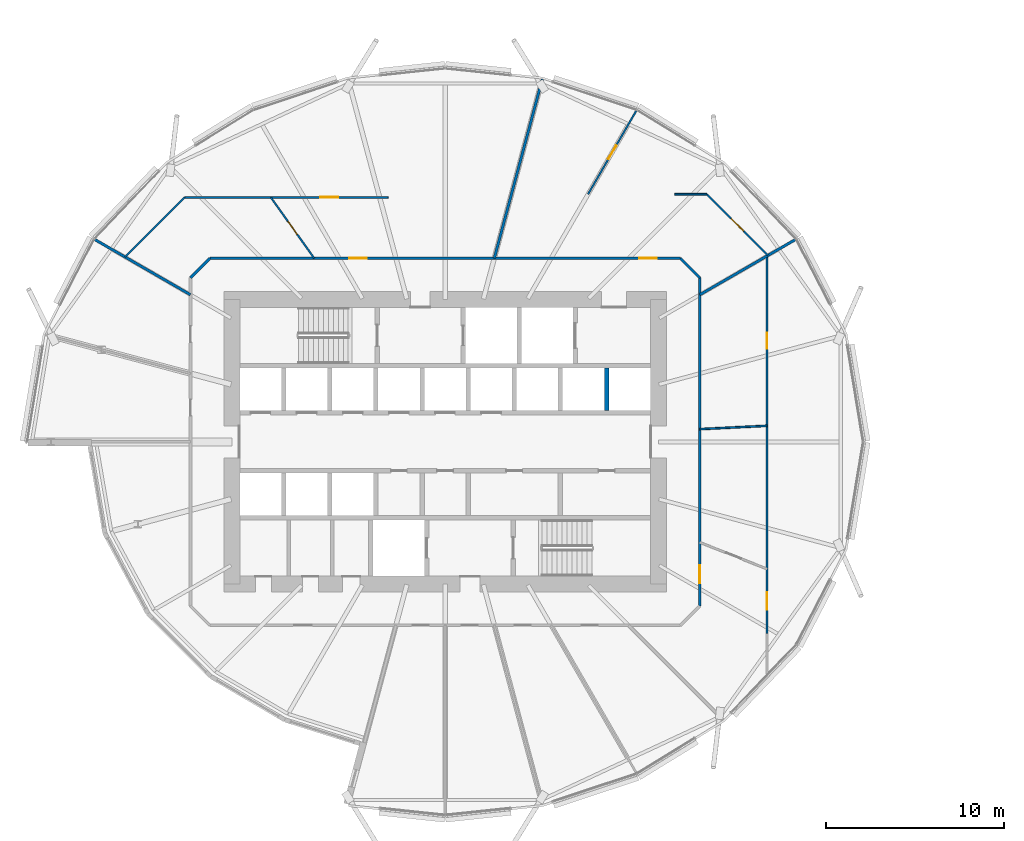
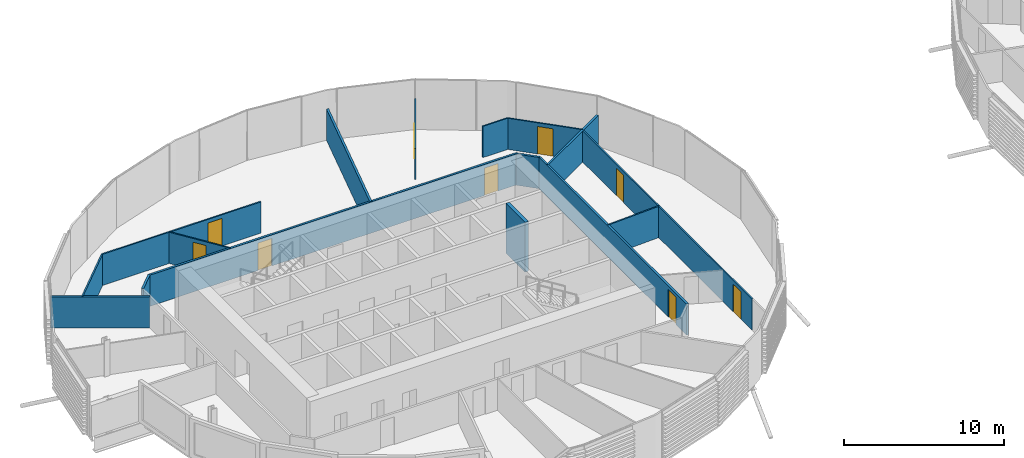
# One storey, part 22 of 38: 16 walls, 9 doors, 9 openings.
"""IFC4 building model written with IfcOpenShell, lengths in metres."""

from ifc_helpers import new_model, si_unit, direction, frame, frame_2d, origin, place, context, subcontext, project, spatial, rectangle, extrude, material, layer, layer_set, type_object, element, fill, save


model = new_model("IFC4")

# Units and contexts
model_context = context("Model", 3, precision=1e-05, world=origin(), true_north=direction((0.0, 1.0)))
body_context = subcontext(model_context, "Body", "Model", "MODEL_VIEW")
ifc_project = project(units=[si_unit("LENGTHUNIT", "METRE"), si_unit("AREAUNIT", "SQUARE_METRE"), si_unit("VOLUMEUNIT", "CUBIC_METRE"), si_unit("PLANEANGLEUNIT", "RADIAN"), si_unit("MASSUNIT", "GRAM", prefix="KILO")], contexts=[model_context])

# Site, building, storey
site_placement = place(None, origin())
site = spatial("IfcSite", under=ifc_project, at=site_placement, CompositionType="ELEMENT")
building_placement = place(site_placement, origin())
building = spatial("IfcBuilding", under=site, at=building_placement, Name="Rimbun Link Towers", CompositionType="ELEMENT")
storey_placement = place(building_placement, frame((0.0, 0.0, 71.800048828125)))
storey = spatial("IfcBuildingStorey", under=building, at=storey_placement, Name="L17", CompositionType="ELEMENT", Elevation=71.800048828125)

# Wall, openings, doors
ifc_material_1 = material(Name="Plasterboard on steel stud, mineral wool", Category="steel")
ifc_layer_1 = layer(ifc_material_1, 0.14990234375)
ifc_layer_set_1 = layer_set([ifc_layer_1], Name="Corridor wall EI 30 150 mm")
wall_type_1 = type_object("IfcWallType", Name="Corridor wall EI 30 150 mm", PredefinedType="PARTITIONING", material=ifc_layer_set_1)
wall_1_placement = place(storey_placement, frame((-44.976806640625, 10.324951171875, 0.0), z_axis=(0.0, 0.0, 1.0), x_axis=(1.0, 0.0, 0.0)))
wall_1 = element("IfcWall", 1, at=wall_1_placement, inside=storey, type_object=wall_type_1, Name="Corridor wall EI 30 150 mm", PredefinedType="PARTITIONING", context=body_context, shape_type="SweptSolid", body=[
    extrude(rectangle(XDim=26.45361328125, YDim=0.14990234375, at=frame_2d((13.226806640625, 0.0))), origin(), (0.0, 0.0, 1.0), 2.3798828125),
])
opening_1_placement = place(wall_1_placement, frame((24.140380859375, 0.0, 0.0)))
opening_1 = element("IfcOpeningElement", 2, at=opening_1_placement, cuts=wall_1, Name="Opening D01", PredefinedType="OPENING", context=body_context, shape_type="SweptSolid", body=[
    extrude(rectangle(XDim=1.0, YDim=2.10009765625, at=frame_2d((0.5, 1.050048828125))), frame((0.0, 0.0849609375, 0.0), z_axis=(0.0, -1.0, 0.0), x_axis=(1.0, 0.0, 0.0)), (0.0, 0.0, 1.0), 0.169921875),
])
opening_2_placement = place(wall_1_placement, frame((7.8291015625, 0.0, 0.0)))
opening_2 = element("IfcOpeningElement", 3, at=opening_2_placement, cuts=wall_1, Name="Opening D01", PredefinedType="OPENING", context=body_context, shape_type="SweptSolid", body=[
    extrude(rectangle(XDim=1.0, YDim=2.10009765625, at=frame_2d((0.5, 1.050048828125))), frame((0.0, 0.0849609375, 0.0), z_axis=(0.0, -1.0, 0.0), x_axis=(1.0, 0.0, 0.0)), (0.0, 0.0, 1.0), 0.169921875),
])
ifc_material_2 = material(Name="Fire-resisting timber door leaf", Category="wood")
door_type_1 = type_object("IfcDoorType", Name="Fire door FD30S 1000", OperationType="NOTDEFINED", PredefinedType="DOOR", material=ifc_material_2)
door_1_placement = place(opening_1_placement, origin())
door_1 = element("IfcDoor", 4, at=door_1_placement, inside=storey, type_object=door_type_1, Name="Fire door FD30S 1000 to Reception", OperationType="SINGLE_SWING_RIGHT", OverallHeight=2.10009765625, OverallWidth=1.0, PredefinedType="DOOR", context=body_context, shape_type="SweptSolid", body=[
    extrude(rectangle(XDim=1.0, YDim=2.10009765625, at=frame_2d((0.5, 1.050048828125))), frame((0.0, 0.02490234375, 0.0), z_axis=(0.0, -1.0, 0.0), x_axis=(1.0, 0.0, 0.0)), (0.0, 0.0, 1.0), 0.050048828125),
])
fill(opening_1, door_1)
door_2_placement = place(opening_2_placement, origin())
door_2 = element("IfcDoor", 5, at=door_2_placement, inside=storey, type_object=door_type_1, Name="Fire door FD30S 1000 to Reception", OperationType="SINGLE_SWING_LEFT", OverallHeight=2.10009765625, OverallWidth=1.0, PredefinedType="DOOR", context=body_context, shape_type="SweptSolid", body=[
    extrude(rectangle(XDim=1.0, YDim=2.10009765625, at=frame_2d((0.5, 1.050048828125))), frame((0.0, 0.02490234375, 0.0), z_axis=(0.0, -1.0, 0.0), x_axis=(1.0, 0.0, 0.0)), (0.0, 0.0, 1.0), 0.050048828125),
])
fill(opening_2, door_2)

# Wall
wall_2_placement = place(storey_placement, frame((-17.425048828125, 9.226806640625, 0.0), z_axis=(0.0, 0.0, 1.0), x_axis=(-0.707106781187, 0.707106781187, 0.0)))
element("IfcWall", 6, at=wall_2_placement, inside=storey, type_object=wall_type_1, Name="Corridor wall EI 30 150 mm", PredefinedType="PARTITIONING", context=body_context, shape_type="SweptSolid", body=[
    extrude(rectangle(XDim=1.552978515625, YDim=0.14990234375, at=frame_2d((0.7763671875, 0.0))), origin(), (0.0, 0.0, 1.0), 2.3798828125),
])

# Wall, opening, door
wall_3_placement = place(storey_placement, frame((-17.425048828125, 9.226806640625, 0.0), z_axis=(0.0, 0.0, 1.0), x_axis=(0.0, -1.0, 0.0)))
wall_3 = element("IfcWall", 7, at=wall_3_placement, inside=storey, type_object=wall_type_1, Name="Corridor wall EI 30 150 mm", PredefinedType="PARTITIONING", context=body_context, shape_type="SweptSolid", body=[
    extrude(rectangle(XDim=18.45361328125, YDim=0.14990234375, at=frame_2d((9.226806640625, 0.0))), origin(), (0.0, 0.0, 1.0), 2.3798828125),
])
opening_3_placement = place(wall_3_placement, frame((16.169921875, 0.0, 0.0)))
opening_3 = element("IfcOpeningElement", 8, at=opening_3_placement, cuts=wall_3, Name="Opening D01", PredefinedType="OPENING", context=body_context, shape_type="SweptSolid", body=[
    extrude(rectangle(XDim=1.0, YDim=2.10009765625, at=frame_2d((0.5, 1.050048828125))), frame((0.0, 0.0849609375, 0.0), z_axis=(0.0, -1.0, 0.0), x_axis=(1.0, 0.0, 0.0)), (0.0, 0.0, 1.0), 0.169921875),
])
door_3_placement = place(opening_3_placement, origin())
door_3 = element("IfcDoor", 9, at=door_3_placement, inside=storey, type_object=door_type_1, Name="Fire door FD30S 1000 to Customer lobby", OperationType="SINGLE_SWING_LEFT", OverallHeight=2.10009765625, OverallWidth=1.0, PredefinedType="DOOR", context=body_context, shape_type="SweptSolid", body=[
    extrude(rectangle(XDim=1.0, YDim=2.10009765625, at=frame_2d((0.5, 1.050048828125))), frame((0.0, 0.02490234375, 0.0), z_axis=(0.0, -1.0, 0.0), x_axis=(1.0, 0.0, 0.0)), (0.0, 0.0, 1.0), 0.050048828125),
])
fill(opening_3, door_3)

# Wall
wall_4_placement = place(storey_placement, frame((-44.976806640625, 10.324951171875, 0.0), z_axis=(0.0, 0.0, 1.0), x_axis=(-0.707106781187, -0.707106781187, 0.0)))
element("IfcWall", 10, at=wall_4_placement, inside=storey, type_object=wall_type_1, Name="Corridor wall EI 30 150 mm", PredefinedType="PARTITIONING", context=body_context, shape_type="SweptSolid", body=[
    extrude(rectangle(XDim=1.552978515625, YDim=0.14990234375, at=frame_2d((0.7763671875, 0.0))), origin(), (0.0, 0.0, 1.0), 2.3798828125),
])

# Wall, openings, doors
ifc_material_3 = material(Name="Plasterboard on steel stud", Category="steel")
ifc_layer_2 = layer(ifc_material_3, 0.10009765625)
ifc_layer_set_2 = layer_set([ifc_layer_2], Name="Plasterboard partition 100 mm")
wall_type_2 = type_object("IfcWallType", Name="Plasterboard partition 100 mm", PredefinedType="PARTITIONING", material=ifc_layer_set_2)
wall_5_placement = place(storey_placement, frame((-13.64501953125, 10.452880859375, 0.0), z_axis=(0.0, 0.0, 1.0), x_axis=(0.0, -1.0, 0.0)))
wall_5 = element("IfcWall", 11, at=wall_5_placement, inside=storey, type_object=wall_type_2, Name="Plasterboard partition 100 mm", PredefinedType="PARTITIONING", context=body_context, shape_type="SweptSolid", body=[
    extrude(rectangle(XDim=21.245361328125, YDim=0.10009765625, at=frame_2d((10.62255859375, 0.0))), origin(), (0.0, 0.0, 1.0), 2.3798828125),
])
opening_4_placement = place(wall_5_placement, frame((18.909423828125, 0.0, 0.0)))
opening_4 = element("IfcOpeningElement", 12, at=opening_4_placement, cuts=wall_5, Name="Opening D03", PredefinedType="OPENING", context=body_context, shape_type="SweptSolid", body=[
    extrude(rectangle(XDim=1.0, YDim=2.10009765625, at=frame_2d((0.5, 1.050048828125))), frame((0.0, 0.06005859375, 0.0), z_axis=(0.0, -1.0, 0.0), x_axis=(1.0, 0.0, 0.0)), (0.0, 0.0, 1.0), 0.1201171875),
])
opening_5_placement = place(wall_5_placement, frame((4.32666015625, 0.0, 0.0)))
opening_5 = element("IfcOpeningElement", 13, at=opening_5_placement, cuts=wall_5, Name="Opening D04", PredefinedType="OPENING", context=body_context, shape_type="SweptSolid", body=[
    extrude(rectangle(XDim=0.89990234375, YDim=2.10009765625, at=frame_2d((0.449951171875, 1.050048828125))), frame((0.0, 0.06005859375, 0.0), z_axis=(0.0, -1.0, 0.0), x_axis=(1.0, 0.0, 0.0)), (0.0, 0.0, 1.0), 0.1201171875),
])
ifc_material_4 = material(Name="Timber door leaf", Category="wood")
door_type_2 = type_object("IfcDoorType", Name="Flush door 1000", OperationType="NOTDEFINED", PredefinedType="DOOR", material=ifc_material_4)
door_4_placement = place(opening_4_placement, origin())
door_4 = element("IfcDoor", 14, at=door_4_placement, inside=storey, type_object=door_type_2, Name="Flush door 1000 to Banking hall", OperationType="SINGLE_SWING_RIGHT", OverallHeight=2.10009765625, OverallWidth=1.0, PredefinedType="DOOR", context=body_context, shape_type="SweptSolid", body=[
    extrude(rectangle(XDim=1.0, YDim=2.10009765625, at=frame_2d((0.5, 1.050048828125))), frame((0.0, 0.02490234375, 0.0), z_axis=(0.0, -1.0, 0.0), x_axis=(1.0, 0.0, 0.0)), (0.0, 0.0, 1.0), 0.050048828125),
])
fill(opening_4, door_4)
ifc_material_5 = material(Name="Timber door leaf", Category="wood")
door_type_3 = type_object("IfcDoorType", Name="Flush door 900", OperationType="NOTDEFINED", PredefinedType="DOOR", material=ifc_material_5)
door_5_placement = place(opening_5_placement, origin())
door_5 = element("IfcDoor", 15, at=door_5_placement, inside=storey, type_object=door_type_3, Name="Flush door 900 to Strong room", OperationType="SINGLE_SWING_LEFT", OverallHeight=2.10009765625, OverallWidth=0.89990234375, PredefinedType="DOOR", context=body_context, shape_type="SweptSolid", body=[
    extrude(rectangle(XDim=0.89990234375, YDim=2.10009765625, at=frame_2d((0.449951171875, 1.050048828125))), frame((0.0, 0.02490234375, 0.0), z_axis=(0.0, -1.0, 0.0), x_axis=(1.0, 0.0, 0.0)), (0.0, 0.0, 1.0), 0.050048828125),
])
fill(opening_5, door_5)

# Wall
wall_6_placement = place(storey_placement, frame((-13.64501953125, 0.899658203125, 0.0), z_axis=(0.0, 0.0, 1.0), x_axis=(-0.998768853147, -0.049606229288, 0.0)))
element("IfcWall", 16, at=wall_6_placement, inside=storey, type_object=wall_type_2, Name="Plasterboard partition 100 mm", PredefinedType="PARTITIONING", context=body_context, shape_type="SweptSolid", body=[
    extrude(rectangle(XDim=3.78466796875, YDim=0.10009765625, at=frame_2d((1.892333984375, 0.0))), origin(), (0.0, 0.0, 1.0), 2.3798828125),
])

# Wall, opening, door
wall_7_placement = place(storey_placement, frame((-17.0322265625, 13.925048828125, 0.0), z_axis=(0.0, 0.0, 1.0), x_axis=(0.707081696248, -0.707131865235, 0.0)))
wall_7 = element("IfcWall", 17, at=wall_7_placement, inside=storey, type_object=wall_type_2, Name="Plasterboard partition 100 mm", PredefinedType="PARTITIONING", context=body_context, shape_type="SweptSolid", body=[
    extrude(rectangle(XDim=4.866455078125, YDim=0.10009765625, at=frame_2d((2.43310546875, 0.0))), origin(), (0.0, 0.0, 1.0), 2.3798828125),
])
opening_6_placement = place(wall_7_placement, frame((1.93310546875, 0.0, 0.0)))
opening_6 = element("IfcOpeningElement", 18, at=opening_6_placement, cuts=wall_7, Name="Opening D03", PredefinedType="OPENING", context=body_context, shape_type="SweptSolid", body=[
    extrude(rectangle(XDim=1.0, YDim=2.10009765625, at=frame_2d((0.5, 1.050048828125))), frame((0.0, 0.06005859375, 0.0), z_axis=(0.0, -1.0, 0.0), x_axis=(1.0, 0.0, 0.0)), (0.0, 0.0, 1.0), 0.1201171875),
])
door_6_placement = place(opening_6_placement, origin())
door_6 = element("IfcDoor", 19, at=door_6_placement, inside=storey, type_object=door_type_2, Name="Flush door 1000 to Co-working space", OperationType="SINGLE_SWING_LEFT", OverallHeight=2.10009765625, OverallWidth=1.0, PredefinedType="DOOR", context=body_context, shape_type="SweptSolid", body=[
    extrude(rectangle(XDim=1.0, YDim=2.10009765625, at=frame_2d((0.5, 1.050048828125))), frame((0.0, 0.02490234375, 0.0), z_axis=(0.0, -1.0, 0.0), x_axis=(1.0, 0.0, 0.0)), (0.0, 0.0, 1.0), 0.050048828125),
])
fill(opening_6, door_6)

# Wall
wall_8_placement = place(storey_placement, frame((-17.0322265625, 13.925048828125, 0.0), z_axis=(0.0, 0.0, 1.0), x_axis=(-1.0, 0.0, 0.0)))
element("IfcWall", 20, at=wall_8_placement, inside=storey, type_object=wall_type_2, Name="Plasterboard partition 100 mm", PredefinedType="PARTITIONING", context=body_context, shape_type="SweptSolid", body=[
    extrude(rectangle(XDim=1.810546875, YDim=0.10009765625, at=frame_2d((0.9052734375, 0.0))), origin(), (0.0, 0.0, 1.0), 2.3798828125),
])

# Wall, opening, door
wall_9_placement = place(storey_placement, frame((-23.71044921875, 13.925048828125, 0.0), z_axis=(0.0, 0.0, 1.0), x_axis=(0.499997733992, 0.866026712061, 0.0)))
wall_9 = element("IfcWall", 21, at=wall_9_placement, inside=storey, type_object=wall_type_2, Name="Plasterboard partition 100 mm", PredefinedType="PARTITIONING", context=body_context, shape_type="SweptSolid", body=[
    extrude(rectangle(XDim=5.45068359375, YDim=0.10009765625, at=frame_2d((2.725341796875, 0.0))), origin(), (0.0, 0.0, 1.0), 2.3798828125),
])
opening_7_placement = place(wall_9_placement, frame((2.275390625, 0.0, 0.0)))
opening_7 = element("IfcOpeningElement", 22, at=opening_7_placement, cuts=wall_9, Name="Opening D04", PredefinedType="OPENING", context=body_context, shape_type="SweptSolid", body=[
    extrude(rectangle(XDim=0.89990234375, YDim=2.10009765625, at=frame_2d((0.449951171875, 1.050048828125))), frame((0.0, 0.06005859375, 0.0), z_axis=(0.0, -1.0, 0.0), x_axis=(1.0, 0.0, 0.0)), (0.0, 0.0, 1.0), 0.1201171875),
])
door_7_placement = place(opening_7_placement, origin())
door_7 = element("IfcDoor", 23, at=door_7_placement, inside=storey, type_object=door_type_3, Name="Flush door 900 to Serviced office", OperationType="SINGLE_SWING_RIGHT", OverallHeight=2.10009765625, OverallWidth=0.89990234375, PredefinedType="DOOR", context=body_context, shape_type="SweptSolid", body=[
    extrude(rectangle(XDim=0.89990234375, YDim=2.10009765625, at=frame_2d((0.449951171875, 1.050048828125))), frame((0.0, 0.02490234375, 0.0), z_axis=(0.0, -1.0, 0.0), x_axis=(1.0, 0.0, 0.0)), (0.0, 0.0, 1.0), 0.050048828125),
])
fill(opening_7, door_7)

wall_10_placement = place(storey_placement, frame((-39.114013671875, 10.324951171875, 0.0), z_axis=(0.0, 0.0, 1.0), x_axis=(-0.580605781108, 0.814184823578, 0.0)))
wall_10 = element("IfcWall", 24, at=wall_10_placement, inside=storey, type_object=wall_type_2, Name="Plasterboard partition 100 mm", PredefinedType="PARTITIONING", context=body_context, shape_type="SweptSolid", body=[
    extrude(rectangle(XDim=4.20068359375, YDim=0.10009765625, at=frame_2d((2.100341796875, 0.0))), origin(), (0.0, 0.0, 1.0), 2.3798828125),
])
opening_8_placement = place(wall_10_placement, frame((1.650390625, 0.0, 0.0)))
opening_8 = element("IfcOpeningElement", 25, at=opening_8_placement, cuts=wall_10, Name="Opening D04", PredefinedType="OPENING", context=body_context, shape_type="SweptSolid", body=[
    extrude(rectangle(XDim=0.89990234375, YDim=2.10009765625, at=frame_2d((0.449951171875, 1.050048828125))), frame((0.0, 0.06005859375, 0.0), z_axis=(0.0, -1.0, 0.0), x_axis=(1.0, 0.0, 0.0)), (0.0, 0.0, 1.0), 0.1201171875),
])
door_8_placement = place(opening_8_placement, origin())
door_8 = element("IfcDoor", 26, at=door_8_placement, inside=storey, type_object=door_type_3, Name="Flush door 900 to Meeting room", OperationType="SINGLE_SWING_LEFT", OverallHeight=2.10009765625, OverallWidth=0.89990234375, PredefinedType="DOOR", context=body_context, shape_type="SweptSolid", body=[
    extrude(rectangle(XDim=0.89990234375, YDim=2.10009765625, at=frame_2d((0.449951171875, 1.050048828125))), frame((0.0, 0.02490234375, 0.0), z_axis=(0.0, -1.0, 0.0), x_axis=(1.0, 0.0, 0.0)), (0.0, 0.0, 1.0), 0.050048828125),
])
fill(opening_8, door_8)

wall_11_placement = place(storey_placement, frame((-46.393310546875, 13.7451171875, 0.0), z_axis=(0.0, 0.0, 1.0), x_axis=(1.0, 0.0, 0.0)))
wall_11 = element("IfcWall", 27, at=wall_11_placement, inside=storey, type_object=wall_type_2, Name="Plasterboard partition 100 mm", PredefinedType="PARTITIONING", context=body_context, shape_type="SweptSolid", body=[
    extrude(rectangle(XDim=11.43701171875, YDim=0.10009765625, at=frame_2d((5.718505859375, 0.0))), origin(), (0.0, 0.0, 1.0), 2.3798828125),
])
opening_9_placement = place(wall_11_placement, frame((7.623779296875, 0.0, 0.0)))
opening_9 = element("IfcOpeningElement", 28, at=opening_9_placement, cuts=wall_11, Name="Opening D03", PredefinedType="OPENING", context=body_context, shape_type="SweptSolid", body=[
    extrude(rectangle(XDim=1.0, YDim=2.10009765625, at=frame_2d((0.5, 1.050048828125))), frame((0.0, 0.06005859375, 0.0), z_axis=(0.0, -1.0, 0.0), x_axis=(1.0, 0.0, 0.0)), (0.0, 0.0, 1.0), 0.1201171875),
])
door_9_placement = place(opening_9_placement, origin())
door_9 = element("IfcDoor", 29, at=door_9_placement, inside=storey, type_object=door_type_2, Name="Flush door 1000 to Open office", OperationType="SINGLE_SWING_RIGHT", OverallHeight=2.10009765625, OverallWidth=1.0, PredefinedType="DOOR", context=body_context, shape_type="SweptSolid", body=[
    extrude(rectangle(XDim=1.0, YDim=2.10009765625, at=frame_2d((0.5, 1.050048828125))), frame((0.0, 0.02490234375, 0.0), z_axis=(0.0, -1.0, 0.0), x_axis=(1.0, 0.0, 0.0)), (0.0, 0.0, 1.0), 0.050048828125),
])
fill(opening_9, door_9)

# Walls
wall_12_placement = place(storey_placement, frame((-46.393310546875, 13.7451171875, 0.0), z_axis=(0.0, 0.0, 1.0), x_axis=(-0.707081046221, -0.707132515215, 0.0)))
element("IfcWall", 30, at=wall_12_placement, inside=storey, type_object=wall_type_2, Name="Plasterboard partition 100 mm", PredefinedType="PARTITIONING", context=body_context, shape_type="SweptSolid", body=[
    extrude(rectangle(XDim=4.743408203125, YDim=0.10009765625, at=frame_2d((2.37158203125, 0.0))), origin(), (0.0, 0.0, 1.0), 2.3798828125),
])
ifc_material_6 = material(Name="Concrete C60/75", Category="concrete")
ifc_layer_3 = layer(ifc_material_6, 0.25)
ifc_layer_set_3 = layer_set([ifc_layer_3], Name="Shaft wall 250")
wall_type_3 = type_object("IfcWallType", Name="Shaft wall 250", PredefinedType="SHEAR", material=ifc_layer_set_3)
wall_13_placement = place(storey_placement, frame((-22.66943359375, 1.75, 0.0), z_axis=(0.0, 0.0, 1.0), x_axis=(0.0, 1.0, 0.0)))
element("IfcWall", 31, at=wall_13_placement, inside=storey, type_object=wall_type_3, Name="L17 T1 core wall DN7", PredefinedType="SHEAR", context=body_context, shape_type="SweptSolid", body=[
    extrude(rectangle(XDim=2.39990234375, YDim=0.25, at=frame_2d((1.199951171875, 0.0))), origin(), (0.0, 0.0, 1.0), 3.800048828125),
])
ifc_material_7 = material(Name="Plasterboard on steel stud, mineral wool", Category="steel")
ifc_layer_4 = layer(ifc_material_7, 0.14990234375)
ifc_layer_set_4 = layer_set([ifc_layer_4], Name="Tenancy separation wall EI 60 150 mm")
wall_type_4 = type_object("IfcWallType", Name="Tenancy separation wall EI 60 150 mm", PredefinedType="PARTITIONING", material=ifc_layer_set_4)
wall_14_placement = place(storey_placement, frame((-17.425048828125, 8.2705078125, 0.0), z_axis=(0.0, 0.0, 1.0), x_axis=(0.866036385336, 0.499980978912, 0.0)))
element("IfcWall", 32, at=wall_14_placement, inside=storey, type_object=wall_type_4, Name="Tenancy separation wall EI 60 150 mm", PredefinedType="PARTITIONING", context=body_context, shape_type="SweptSolid", body=[
    extrude(rectangle(XDim=6.239990234375, YDim=0.14990234375, at=frame_2d((3.1201171875, 0.0))), origin(), (0.0, 0.0, 1.0), 2.3798828125),
])
wall_15_placement = place(storey_placement, frame((-28.9833984375, 10.324951171875, 0.0), z_axis=(0.0, 0.0, 1.0), x_axis=(0.258817581696, 0.965926218406, 0.0)))
element("IfcWall", 33, at=wall_15_placement, inside=storey, type_object=wall_type_4, Name="Tenancy separation wall EI 60 150 mm", PredefinedType="PARTITIONING", context=body_context, shape_type="SweptSolid", body=[
    extrude(rectangle(XDim=10.431884765625, YDim=0.14990234375, at=frame_2d((5.2158203125, 0.0))), origin(), (0.0, 0.0, 1.0), 2.3798828125),
])
wall_16_placement = place(storey_placement, frame((-46.074951171875, 8.2705078125, 0.0), z_axis=(0.0, 0.0, 1.0), x_axis=(-0.866036385336, 0.499980978912, 0.0)))
element("IfcWall", 34, at=wall_16_placement, inside=storey, type_object=wall_type_4, Name="Tenancy separation wall EI 60 150 mm", PredefinedType="PARTITIONING", context=body_context, shape_type="SweptSolid", body=[
    extrude(rectangle(XDim=6.239990234375, YDim=0.14990234375, at=frame_2d((3.1201171875, 0.0))), origin(), (0.0, 0.0, 1.0), 2.3798828125),
])

save(model, "model.ifc")
